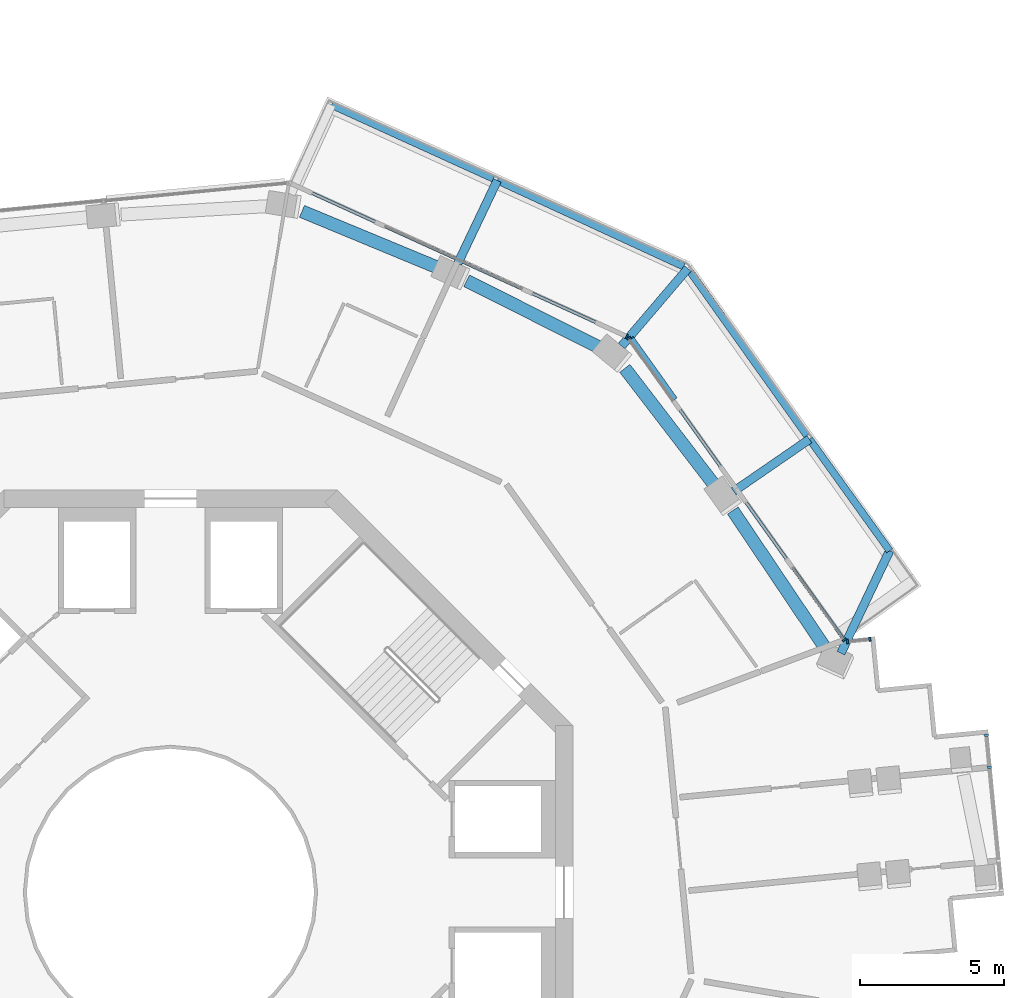
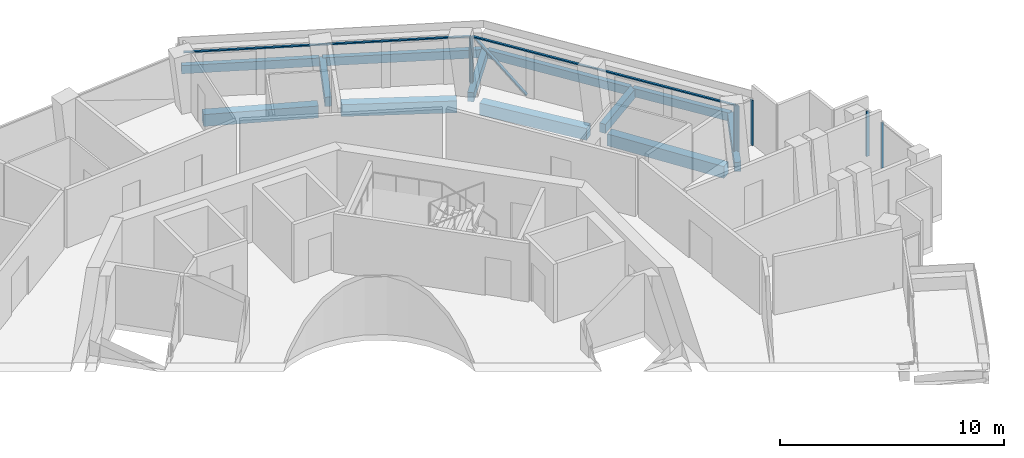
# One storey, part 8 of 22: 12 beams, 10 members, 4 elements without a shape of their own.
"""IFC4 building model written with IfcOpenShell, lengths in metres."""

import ifcopenshell
import ifcopenshell.guid

model = None  # the IFC model being written
_history = None  # IfcOwnerHistory: only IFC2X3 demands one
_inside = {}  # id of a spatial element -> (the spatial element, [elements in it])
_under = {}  # id of a project, library or spatial element -> (it, [spatial elements below it])
_declared = {}  # id of a project -> (the project, [libraries it declares])
_typed = {}  # id of a type object -> (the type object, [elements of that type])
_made_of = {}  # id of a material, layer set ... -> (it, [elements and type objects made of it])


def new_model(schema):
    """Start an empty IFC model of exactly this schema.

    Asked for "IFC4X3", IfcOpenShell would pick the latest addendum, in which some entities
    have other attributes; the version numbers below select the first issue.
    IFC2X3 requires an IfcOwnerHistory on every rooted entity: one is made here for all.
    """
    global model, _history
    if schema == "IFC4X3":
        model = ifcopenshell.file(schema_version=(4, 3, 0, 0))
    else:
        model = ifcopenshell.file(schema=schema)
    _inside.clear()
    _under.clear()
    _declared.clear()
    _typed.clear()
    _made_of.clear()
    _history = None
    if model.schema == "IFC2X3":
        org = make("IfcOrganization", Name="unknown")
        user = make(
            "IfcPersonAndOrganization",
            ThePerson=make("IfcPerson", FamilyName="unknown"),
            TheOrganization=org,
        )
        app = make(
            "IfcApplication",
            ApplicationDeveloper=org,
            Version="unknown",
            ApplicationFullName="unknown",
            ApplicationIdentifier="unknown",
        )
        _history = make(
            "IfcOwnerHistory",
            OwningUser=user,
            OwningApplication=app,
            ChangeAction="ADDED",
            CreationDate=0,
        )
    return model


def make(cls, **values):
    """One entity of the class cls with the attributes given. An attribute that is None is left unset."""
    return model.create_entity(
        cls, **{name: value for name, value in values.items() if value is not None}
    )


def rooted(cls, **values):
    """An entity with a GlobalId (a new one), such as an element, a storey or a relation."""
    return make(cls, GlobalId=ifcopenshell.guid.new(), OwnerHistory=_history, **values)


def si_unit(unit_type, name, prefix=None):
    """IfcSIUnit, for example si_unit("LENGTHUNIT", "METRE", prefix="MILLI")."""
    return make("IfcSIUnit", UnitType=unit_type, Prefix=prefix, Name=name)


def assignment(units):
    """IfcUnitAssignment: the units of a project."""
    return None if units is None else make("IfcUnitAssignment", Units=units)


def point(xyz):
    """IfcCartesianPoint."""
    return None if xyz is None else make("IfcCartesianPoint", Coordinates=xyz)


def direction(xyz):
    """IfcDirection."""
    return None if xyz is None else make("IfcDirection", DirectionRatios=xyz)


def frame(location, z_axis=None, x_axis=None):
    """IfcAxis2Placement3D, a coordinate frame: its origin and axes. An axis left out is left unset."""
    return make(
        "IfcAxis2Placement3D",
        Location=point(location),
        Axis=direction(z_axis),
        RefDirection=direction(x_axis),
    )


def frame_2d(location, x_axis=None):
    """IfcAxis2Placement2D, a coordinate frame in the plane: its origin and x axis."""
    return make(
        "IfcAxis2Placement2D", Location=point(location), RefDirection=direction(x_axis)
    )


def origin():
    """The frame at (0, 0, 0) with its axes left unset."""
    return frame((0.0, 0.0, 0.0))


def origin_2d():
    """The frame at (0, 0) in the plane with its x axis left unset."""
    return frame_2d((0.0, 0.0))


def place(relative_to, where):
    """IfcLocalPlacement: puts the frame where relative to a parent placement (None: the world)."""
    return make(
        "IfcLocalPlacement", PlacementRelTo=relative_to, RelativePlacement=where
    )


def context(
    kind, dimensions, precision=None, world=None, true_north=None, identifier=None
):
    """IfcGeometricRepresentationContext, for example the 3D "Model" context."""
    return make(
        "IfcGeometricRepresentationContext",
        ContextIdentifier=identifier,
        ContextType=kind,
        CoordinateSpaceDimension=dimensions,
        Precision=precision,
        WorldCoordinateSystem=world,
        TrueNorth=true_north,
    )


def subcontext(parent, identifier, kind, view, scale=None):
    """IfcGeometricRepresentationSubContext, for example "Body" below "Model"."""
    return make(
        "IfcGeometricRepresentationSubContext",
        ContextIdentifier=identifier,
        ContextType=kind,
        ParentContext=parent,
        TargetScale=scale,
        TargetView=view,
    )


def project(units=None, contexts=None):
    """IfcProject with its units and contexts."""
    return rooted(
        "IfcProject",
        Name="project",
        RepresentationContexts=contexts,
        UnitsInContext=assignment(units),
    )


def spatial(cls, under=None, at=None, **own):
    """A site, building, storey or space (cls), placed at a placement, below another one or the project."""
    s = rooted(cls, ObjectPlacement=at, **own)
    if under is not None:
        _under.setdefault(under.id(), (under, []))[1].append(s)
    return s


def profile(cls, at=None, kind="AREA", **sizes):
    """A parametric profile (cls). Its sizes go by their IFC names, for example OverallWidth=200.0."""
    return make(cls, ProfileType=kind, Position=at, **sizes)


def rectangle(**sizes):
    """IfcRectangleProfileDef."""
    return profile("IfcRectangleProfileDef", **sizes)


def extrude(swept, where, along, depth):
    """IfcExtrudedAreaSolid: the profile swept, set in the frame where, extruded along a direction by depth."""
    return make(
        "IfcExtrudedAreaSolid",
        SweptArea=swept,
        Position=where,
        ExtrudedDirection=direction(along),
        Depth=depth,
    )


def shape(context_of_items, identifier, shape_type, items):
    """IfcShapeRepresentation: the items that make up one representation, for example the "Body"."""
    return make(
        "IfcShapeRepresentation",
        ContextOfItems=context_of_items,
        RepresentationIdentifier=identifier,
        RepresentationType=shape_type,
        Items=items,
    )


def material(Name=None, Category=None):
    """IfcMaterial."""
    return make("IfcMaterial", Name=Name, Category=Category)


def layer(
    of_material, thickness, ventilated=None, Name=None, Category=None, Priority=None
):
    """IfcMaterialLayer: one layer of a wall or slab, of a material (None: an air gap)."""
    return make(
        "IfcMaterialLayer",
        Material=of_material,
        LayerThickness=thickness,
        IsVentilated=ventilated,
        Name=Name,
        Category=Category,
        Priority=Priority,
    )


def layer_set(layers, Name=None):
    """IfcMaterialLayerSet."""
    return make("IfcMaterialLayerSet", MaterialLayers=layers, LayerSetName=Name)


def material_profile(
    of_material, cross_section, Name=None, Category=None, Priority=None
):
    """IfcMaterialProfile: a cross section and its material."""
    return make(
        "IfcMaterialProfile",
        Name=Name,
        Material=of_material,
        Profile=cross_section,
        Priority=Priority,
        Category=Category,
    )


def profile_set(profiles, Name=None, composite=None):
    """IfcMaterialProfileSet."""
    return make(
        "IfcMaterialProfileSet",
        Name=Name,
        MaterialProfiles=profiles,
        CompositeProfile=composite,
    )


def made_of(thing, what):
    """Note that an element or type object is made of a material, layer set ...; save() writes the relation."""
    if what is not None:
        _made_of.setdefault(what.id(), (what, []))[1].append(thing)
    return thing


def type_object(cls, material=None, **own):
    """A type object (cls), such as IfcWallType, which elements share."""
    return made_of(rooted(cls, **own), material)


def element(
    cls,
    number,
    at=None,
    inside=None,
    cuts=None,
    type_object=None,
    material=None,
    context=None,
    identifier="Body",
    shape_type=None,
    held_by="IfcProductDefinitionShape",
    body=None,
    shapes=None,
    **own,
):
    """One element of the class cls, such as IfcWall. Its Tag is "e" and its number.

    at: its placement. inside: the storey or other place that contains it. cuts: it is an
    opening in that element (IfcRelVoidsElement). A single representation is given by context,
    identifier, shape_type and body (its items); several are given by shapes. held_by: the class
    of the entity that holds the representations. save() writes the other relations.
    """
    e = rooted(cls, Tag="e%d" % number, ObjectPlacement=at, **own)
    if body is not None:
        shapes = [shape(context, identifier, shape_type, body)]
    if shapes is not None:
        e.Representation = make(held_by, Representations=shapes)
    if inside is not None:
        _inside.setdefault(inside.id(), (inside, []))[1].append(e)
    if cuts is not None:
        rooted(
            "IfcRelVoidsElement", RelatingBuildingElement=cuts, RelatedOpeningElement=e
        )
    if type_object is not None:
        _typed.setdefault(type_object.id(), (type_object, []))[1].append(e)
    return made_of(e, material)


def aggregate(whole, parts):
    """IfcRelAggregates: a whole, such as a stair, and the parts it consists of."""
    return rooted("IfcRelAggregates", RelatingObject=whole, RelatedObjects=parts)


def save(model, path):
    """Write the relations noted so far, then the file.

    IfcRelAggregates (storeys below a building ...), IfcRelContainedInSpatialStructure (elements
    in a storey), IfcRelDefinesByType, IfcRelAssociatesMaterial and IfcRelDeclares: one each for
    every whole, place, type object, material and project.
    """
    for whole, parts in _under.values():
        aggregate(whole, parts)
    for where, things in _inside.values():
        rooted(
            "IfcRelContainedInSpatialStructure",
            RelatedElements=things,
            RelatingStructure=where,
        )
    for kind, things in _typed.values():
        rooted("IfcRelDefinesByType", RelatedObjects=things, RelatingType=kind)
    for what, things in _made_of.values():
        rooted("IfcRelAssociatesMaterial", RelatedObjects=things, RelatingMaterial=what)
    for by, libraries in _declared.values():
        rooted("IfcRelDeclares", RelatingContext=by, RelatedDefinitions=libraries)
    model.write(path)


model = new_model("IFC4")

# Units and contexts
model_context = context("Model", 3, precision=1e-05, world=origin(), true_north=direction((0.0, 1.0)))
body_context = subcontext(model_context, "Body", "Model", "MODEL_VIEW")
ifc_project = project(units=[si_unit("LENGTHUNIT", "METRE"), si_unit("AREAUNIT", "SQUARE_METRE"), si_unit("VOLUMEUNIT", "CUBIC_METRE"), si_unit("PLANEANGLEUNIT", "RADIAN"), si_unit("MASSUNIT", "GRAM", prefix="KILO")], contexts=[model_context])

# Site, building, storey
site_placement = place(None, origin())
site = spatial("IfcSite", under=ifc_project, at=site_placement, CompositionType="ELEMENT")
building_placement = place(site_placement, origin())
building = spatial("IfcBuilding", under=site, at=building_placement, Name="Verdalira Terraces Hotel", CompositionType="ELEMENT")
storey_placement = place(building_placement, frame((0.0, 0.0, 180.0)))
storey = spatial("IfcBuildingStorey", under=building, at=storey_placement, Name="L43", CompositionType="ELEMENT", Elevation=180.0)

# Beams
ifc_material_1 = material(Name="Concrete C40", Category="concrete")
ifc_material_profile_1 = material_profile(ifc_material_1, rectangle(XDim=0.300049, YDim=0.5, at=origin_2d()), Name="RC 300X500")
ifc_profile_set_1 = profile_set([ifc_material_profile_1], Name="Concrete C40")
beam_type_1 = type_object("IfcBeamType", Name="Balcony cantilever beam RC 300X500 C40", PredefinedType="BEAM", material=ifc_profile_set_1)
beam_1_placement = place(storey_placement, frame((23.327393, 8.320801, -0.560059), z_axis=(0.429573659, 0.903031822, 0.0), x_axis=(-0.903031822, 0.429573659, 0.0)))
element("IfcBeam", 1, at=beam_1_placement, inside=storey, type_object=beam_type_1, Name="Balcony cantilever beam R39-1", PredefinedType="BEAM", context=body_context, shape_type="SweptSolid", body=[
    extrude(rectangle(XDim=0.300049, YDim=0.5, at=origin_2d()), origin(), (0.0, 0.0, 1.0), 3.949951),
])
beam_2_placement = place(storey_placement, frame((19.599365, 13.951904, -0.560059), z_axis=(0.823540858, 0.567256957, 0.0), x_axis=(-0.567256957, 0.823540858, 0.0)))
element("IfcBeam", 2, at=beam_2_placement, inside=storey, type_object=beam_type_1, Name="Balcony cantilever beam R39-2", PredefinedType="BEAM", context=body_context, shape_type="SweptSolid", body=[
    extrude(rectangle(XDim=0.300049, YDim=0.5, at=origin_2d()), origin(), (0.0, 0.0, 1.0), 3.200684),
])
beam_3_placement = place(storey_placement, frame((15.700195, 19.009277, -0.560059), z_axis=(0.648640735, 0.761094736, 0.0), x_axis=(-0.761094736, 0.648640735, 0.0)))
element("IfcBeam", 3, at=beam_3_placement, inside=storey, type_object=beam_type_1, Name="Balcony cantilever beam R39-3", PredefinedType="BEAM", context=body_context, shape_type="SweptSolid", body=[
    extrude(rectangle(XDim=0.300049, YDim=0.5, at=origin_2d()), origin(), (0.0, 0.0, 1.0), 3.547363),
])
beam_4_placement = place(storey_placement, frame((9.997559, 21.882324, -0.560059), z_axis=(0.429584175, 0.903026819, 0.0), x_axis=(-0.903026819, 0.429584175, 0.0)))
element("IfcBeam", 4, at=beam_4_placement, inside=storey, type_object=beam_type_1, Name="Balcony cantilever beam R39-4", PredefinedType="BEAM", context=body_context, shape_type="SweptSolid", body=[
    extrude(rectangle(XDim=0.300049, YDim=0.5, at=origin_2d()), origin(), (0.0, 0.0, 1.0), 3.200684),
])
ifc_material_2 = material(Name="Concrete C40", Category="concrete")
ifc_material_profile_2 = material_profile(ifc_material_2, rectangle(XDim=0.25, YDim=0.449951, at=origin_2d()), Name="RC 250X450")
ifc_profile_set_2 = profile_set([ifc_material_profile_2], Name="Concrete C40")
beam_type_2 = type_object("IfcBeamType", Name="Balcony edge beam RC 250X450 C40", PredefinedType="BEAM", material=ifc_profile_set_2)
beam_5_placement = place(storey_placement, frame((25.02417, 11.887695, -0.534912), z_axis=(-0.583657104, 0.812000237, 0.0), x_axis=(-0.812000237, -0.583657104, 0.0)))
element("IfcBeam", 5, at=beam_5_placement, inside=storey, type_object=beam_type_2, Name="Balcony edge beam R39-1", PredefinedType="BEAM", context=body_context, shape_type="SweptSolid", body=[
    extrude(rectangle(XDim=0.25, YDim=0.449951, at=origin_2d()), origin(), (0.0, 0.0, 1.0), 4.778076),
])
beam_6_placement = place(storey_placement, frame((22.148193, 15.889893, -0.534912), z_axis=(-0.580332695, 0.814379495, 0.0), x_axis=(-0.814379495, -0.580332695, 0.0)))
element("IfcBeam", 6, at=beam_6_placement, inside=storey, type_object=beam_type_2, Name="Balcony edge beam R39-2", PredefinedType="BEAM", context=body_context, shape_type="SweptSolid", body=[
    extrude(rectangle(XDim=0.25, YDim=0.449951, at=origin_2d()), origin(), (0.0, 0.0, 1.0), 6.990967),
])
beam_7_placement = place(storey_placement, frame((17.859863, 21.774658, -0.534912), z_axis=(-0.907751301, 0.41950873, 0.0), x_axis=(-0.41950873, -0.907751301, 0.0)))
element("IfcBeam", 7, at=beam_7_placement, inside=storey, type_object=beam_type_2, Name="Balcony edge beam R39-3", PredefinedType="BEAM", context=body_context, shape_type="SweptSolid", body=[
    extrude(rectangle(XDim=0.25, YDim=0.449951, at=origin_2d()), origin(), (0.0, 0.0, 1.0), 7.146484),
])
beam_8_placement = place(storey_placement, frame((11.23584, 24.834961, -0.534912), z_axis=(-0.910105528, 0.414376554, 0.0), x_axis=(-0.414376554, -0.910105528, 0.0)))
element("IfcBeam", 8, at=beam_8_placement, inside=storey, type_object=beam_type_2, Name="Balcony edge beam R39-4", PredefinedType="BEAM", context=body_context, shape_type="SweptSolid", body=[
    extrude(rectangle(XDim=0.25, YDim=0.449951, at=origin_2d()), origin(), (0.0, 0.0, 1.0), 6.188232),
])

# Curtain wall, members
ifc_material_3 = material(Name="Clear glass", Category="glass")
ifc_layer_1 = layer(ifc_material_3, 0.14990234375)
ifc_layer_set_1 = layer_set([ifc_layer_1], Name="CW1 curtain wall")
curtain_wall_type_1 = type_object("IfcCurtainWallType", Name="CW1 curtain wall", PredefinedType="NOTDEFINED", material=ifc_layer_set_1)
curtain_wall_1_placement = place(storey_placement, origin())
curtain_wall_1 = element("IfcCurtainWall", 9, at=curtain_wall_1_placement, inside=storey, type_object=curtain_wall_type_1, Name="CW1 curtain wall L43 edge 39", PredefinedType="NOTDEFINED")
ifc_material_4 = material(Name="Terracotta frame", Category="masonry")
ifc_material_profile_3 = material_profile(ifc_material_4, rectangle(XDim=0.060059, YDim=0.149902, at=origin_2d()), Name="MU 60x150")
ifc_profile_set_3 = profile_set([ifc_material_profile_3], Name="Terracotta frame")
member_type_1 = type_object("IfcMemberType", Name="CW1 mullion 60x150", PredefinedType="MULLION", material=ifc_profile_set_3)
member_1_placement = place(storey_placement, frame((23.442139, 8.78418, 0.0), z_axis=(0.0, 0.0, 1.0), x_axis=(-0.5809871, 0.813912765, 0.0)))
member_1 = element("IfcMember", 10, at=member_1_placement, type_object=member_type_1, Name="CW1 mullion", PredefinedType="MULLION", context=body_context, shape_type="SweptSolid", body=[
    extrude(rectangle(XDim=0.060059, YDim=0.149902, at=origin_2d()), origin(), (0.0, 0.0, 1.0), 2.475098),
])
member_2_placement = place(storey_placement, frame((15.94751, 19.283447, 0.0), z_axis=(0.0, 0.0, 1.0), x_axis=(-0.5809871, 0.813912765, 0.0)))
member_2 = element("IfcMember", 11, at=member_2_placement, type_object=member_type_1, Name="CW1 mullion", PredefinedType="MULLION", context=body_context, shape_type="SweptSolid", body=[
    extrude(rectangle(XDim=0.060059, YDim=0.149902, at=origin_2d()), origin(), (0.0, 0.0, 1.0), 2.475098),
])

# Curtain wall, member
curtain_wall_2_placement = place(storey_placement, origin())
curtain_wall_2 = element("IfcCurtainWall", 12, at=curtain_wall_2_placement, inside=storey, type_object=curtain_wall_type_1, Name="CW1 curtain wall L43 edge 40", PredefinedType="NOTDEFINED")
member_3_placement = place(storey_placement, frame((15.872803, 19.344971, 0.0), z_axis=(0.0, 0.0, 1.0), x_axis=(-0.910105971, 0.414375581, 0.0)))
member_3 = element("IfcMember", 13, at=member_3_placement, type_object=member_type_1, Name="CW1 mullion", PredefinedType="MULLION", context=body_context, shape_type="SweptSolid", body=[
    extrude(rectangle(XDim=0.060059, YDim=0.149902, at=origin_2d()), origin(), (0.0, 0.0, 1.0), 2.475098),
])

# Member
ifc_material_5 = material(Name="Terracotta frame", Category="masonry")
ifc_material_profile_4 = material_profile(ifc_material_5, rectangle(XDim=0.110107, YDim=0.064941, at=origin_2d()), Name="TR 65x110")
ifc_profile_set_4 = profile_set([ifc_material_profile_4], Name="Terracotta frame")
member_type_2 = type_object("IfcMemberType", Name="CW1 transom 65x110", PredefinedType="USERDEFINED", material=ifc_profile_set_4)
member_4_placement = place(storey_placement, frame((23.459473, 8.759766, 2.507568), z_axis=(-0.580979771, 0.813917997, 0.0), x_axis=(-0.813917997, -0.580979771, 0.0)))
member_4 = element("IfcMember", 14, at=member_4_placement, type_object=member_type_2, Name="CW1 transom", ObjectType="TRANSOM", PredefinedType="USERDEFINED", context=body_context, shape_type="SweptSolid", body=[
    extrude(rectangle(XDim=0.110107, YDim=0.064941, at=origin_2d()), origin(), (0.0, 0.0, 1.0), 12.959717),
])

member_5_placement = place(storey_placement, frame((15.900146, 19.33252, 2.507568), z_axis=(-0.910101608, 0.414385162, 0.0), x_axis=(-0.414385162, -0.910101608, 0.0)))
member_5 = element("IfcMember", 15, at=member_5_placement, type_object=member_type_2, Name="CW1 transom", ObjectType="TRANSOM", PredefinedType="USERDEFINED", context=body_context, shape_type="SweptSolid", body=[
    extrude(rectangle(XDim=0.110107, YDim=0.064941, at=origin_2d()), origin(), (0.0, 0.0, 1.0), 12.919678),
])

aggregate(curtain_wall_2, [member_3, member_5])

# Curtain wall, members
ifc_material_6 = material(Name="Clear glass", Category="glass")
ifc_layer_2 = layer(ifc_material_6, 0.14990234375)
ifc_layer_set_2 = layer_set([ifc_layer_2], Name="CW2 curtain wall")
curtain_wall_type_2 = type_object("IfcCurtainWallType", Name="CW2 curtain wall", PredefinedType="NOTDEFINED", material=ifc_layer_set_2)
curtain_wall_3_placement = place(storey_placement, origin())
curtain_wall_3 = element("IfcCurtainWall", 16, at=curtain_wall_3_placement, inside=storey, type_object=curtain_wall_type_2, Name="CW2 curtain wall L43 edge 38", PredefinedType="NOTDEFINED")
ifc_material_7 = material(Name="Terracotta frame", Category="masonry")
ifc_material_profile_5 = material_profile(ifc_material_7, rectangle(XDim=0.070068, YDim=0.149902, at=origin_2d()), Name="MU 70x150")
ifc_profile_set_5 = profile_set([ifc_material_profile_5], Name="Terracotta frame")
member_type_3 = type_object("IfcMemberType", Name="CW2 mullion 70x150", PredefinedType="MULLION", material=ifc_profile_set_5)
member_6_placement = place(storey_placement, frame((24.339111, 8.807129, 0.0), z_axis=(0.0, 0.0, 1.0), x_axis=(-0.995362681, -0.096193205, 0.0)))
member_6 = element("IfcMember", 17, at=member_6_placement, type_object=member_type_3, Name="CW2 mullion", PredefinedType="MULLION", context=body_context, shape_type="SweptSolid", body=[
    extrude(rectangle(XDim=0.070068, YDim=0.149902, at=origin_2d()), origin(), (0.0, 0.0, 1.0), 2.475098),
])
member_7_placement = place(storey_placement, frame((23.562744, 8.732178, 0.0), z_axis=(0.0, 0.0, 1.0), x_axis=(-0.995362681, -0.096193205, 0.0)))
member_7 = element("IfcMember", 18, at=member_7_placement, type_object=member_type_3, Name="CW2 mullion", PredefinedType="MULLION", context=body_context, shape_type="SweptSolid", body=[
    extrude(rectangle(XDim=0.070068, YDim=0.149902, at=origin_2d()), origin(), (0.0, 0.0, 1.0), 2.475098),
])
aggregate(curtain_wall_3, [member_6, member_7])

ifc_material_8 = material(Name="Clear glass", Category="glass")
ifc_layer_3 = layer(ifc_material_8, 0.14990234375)
ifc_layer_set_3 = layer_set([ifc_layer_3], Name="CW3 curtain wall")
curtain_wall_type_3 = type_object("IfcCurtainWallType", Name="CW3 curtain wall", PredefinedType="NOTDEFINED", material=ifc_layer_set_3)
curtain_wall_4_placement = place(storey_placement, origin())
curtain_wall_4 = element("IfcCurtainWall", 19, at=curtain_wall_4_placement, inside=storey, type_object=curtain_wall_type_3, Name="CW3 curtain wall L43 edge 33", PredefinedType="NOTDEFINED")
ifc_material_9 = material(Name="Terracotta frame", Category="masonry")
ifc_material_profile_6 = material_profile(ifc_material_9, rectangle(XDim=0.080078, YDim=0.149902, at=origin_2d()), Name="MU 80x150")
ifc_profile_set_6 = profile_set([ifc_material_profile_6], Name="Terracotta frame")
member_type_4 = type_object("IfcMemberType", Name="CW3 mullion 80x150", PredefinedType="MULLION", material=ifc_profile_set_6)
member_8_placement = place(storey_placement, frame((28.49707, 4.350342, 0.0), z_axis=(0.0, 0.0, 1.0), x_axis=(-0.096193205, 0.995362681, 0.0)))
member_8 = element("IfcMember", 20, at=member_8_placement, type_object=member_type_4, Name="CW3 mullion", PredefinedType="MULLION", context=body_context, shape_type="SweptSolid", body=[
    extrude(rectangle(XDim=0.080078, YDim=0.149902, at=origin_2d()), origin(), (0.0, 0.0, 1.0), 2.475098),
])
member_9_placement = place(storey_placement, frame((28.38916, 5.466309, 0.0), z_axis=(0.0, 0.0, 1.0), x_axis=(-0.096193205, 0.995362681, 0.0)))
member_9 = element("IfcMember", 21, at=member_9_placement, type_object=member_type_4, Name="CW3 mullion", PredefinedType="MULLION", context=body_context, shape_type="SweptSolid", body=[
    extrude(rectangle(XDim=0.080078, YDim=0.149902, at=origin_2d()), origin(), (0.0, 0.0, 1.0), 2.475098),
])
aggregate(curtain_wall_4, [member_8, member_9])

# Member
ifc_material_10 = material(Name="Terracotta frame", Category="masonry")
ifc_material_profile_7 = material_profile(ifc_material_10, rectangle(XDim=0.149902, YDim=0.060059, at=origin_2d()), Name="GB 60x150")
ifc_profile_set_7 = profile_set([ifc_material_profile_7], Name="Terracotta frame")
member_type_5 = type_object("IfcMemberType", Name="Diagonal glazing bar 60x150", PredefinedType="USERDEFINED", material=ifc_profile_set_7)
member_10_placement = place(storey_placement, frame((17.555908, 17.18335, 0.023193), z_axis=(-0.423744394, 0.593627311, 0.684139828), x_axis=(-0.81391184, -0.580988396, 0.0)))
member_10 = element("IfcMember", 22, at=member_10_placement, type_object=member_type_5, Name="Diagonal glazing bar", ObjectType="GLAZING BAR", PredefinedType="USERDEFINED", context=body_context, shape_type="SweptSolid", body=[
    extrude(rectangle(XDim=0.149902, YDim=0.060059, at=origin_2d()), origin(), (0.0, 0.0, 1.0), 3.549561),
])

aggregate(curtain_wall_1, [member_1, member_2, member_4, member_10])

# Beams
ifc_material_11 = material(Name="Concrete C50", Category="concrete")
ifc_material_profile_8 = material_profile(ifc_material_11, rectangle(XDim=0.449951, YDim=0.649902, at=origin_2d()), Name="RC 450X650")
ifc_profile_set_8 = profile_set([ifc_material_profile_8], Name="Concrete C50")
beam_type_3 = type_object("IfcBeamType", Name="Spandrel beam RC 450X650 C50", PredefinedType="SPANDREL", material=ifc_profile_set_8)
beam_9_placement = place(storey_placement, frame((22.810303, 8.460449, -0.63501), z_axis=(-0.557971166, 0.829860336, 0.0), x_axis=(-0.829860336, -0.557971166, 0.0)))
element("IfcBeam", 23, at=beam_9_placement, inside=storey, type_object=beam_type_3, Name="Spandrel beam B18", PredefinedType="SPANDREL", context=body_context, shape_type="SweptSolid", body=[
    extrude(rectangle(XDim=0.449951, YDim=0.649902, at=origin_2d()), origin(), (0.0, 0.0, 1.0), 5.814209),
])
beam_10_placement = place(storey_placement, frame((18.968262, 14.116455, -0.63501), z_axis=(-0.608696212, 0.793403379, 0.0), x_axis=(-0.793403379, -0.608696212, 0.0)))
element("IfcBeam", 24, at=beam_10_placement, inside=storey, type_object=beam_type_3, Name="Spandrel beam B19", PredefinedType="SPANDREL", context=body_context, shape_type="SweptSolid", body=[
    extrude(rectangle(XDim=0.449951, YDim=0.649902, at=origin_2d()), origin(), (0.0, 0.0, 1.0), 5.189209),
])
beam_11_placement = place(storey_placement, frame((14.942139, 18.94873, -0.63501), z_axis=(-0.893371473, 0.449318831, 0.0), x_axis=(-0.449318831, -0.893371473, 0.0)))
element("IfcBeam", 25, at=beam_11_placement, inside=storey, type_object=beam_type_3, Name="Spandrel beam B20", PredefinedType="SPANDREL", context=body_context, shape_type="SweptSolid", body=[
    extrude(rectangle(XDim=0.449951, YDim=0.649902, at=origin_2d()), origin(), (0.0, 0.0, 1.0), 5.192383),
])
beam_12_placement = place(storey_placement, frame((9.368896, 21.709229, -0.63501), z_axis=(-0.923844794, 0.382767288, 0.0), x_axis=(-0.382767288, -0.923844794, 0.0)))
element("IfcBeam", 26, at=beam_12_placement, inside=storey, type_object=beam_type_3, Name="Spandrel beam B21", PredefinedType="SPANDREL", context=body_context, shape_type="SweptSolid", body=[
    extrude(rectangle(XDim=0.449951, YDim=0.649902, at=origin_2d()), origin(), (0.0, 0.0, 1.0), 5.189453),
])

save(model, "model.ifc")
